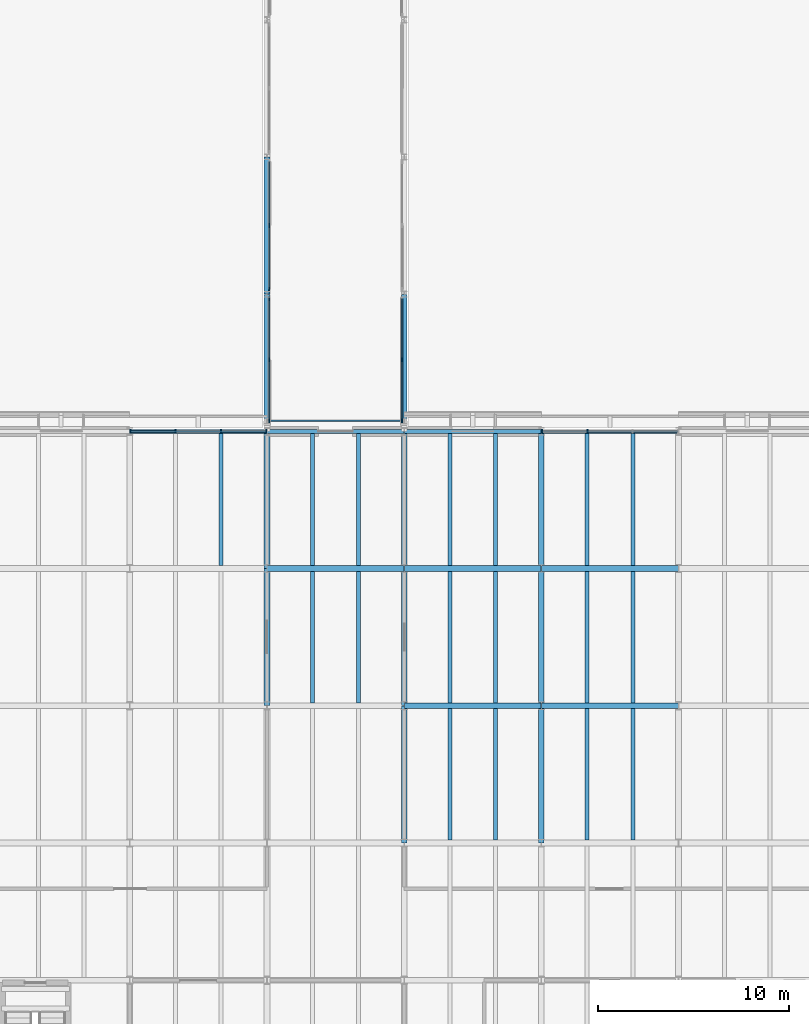
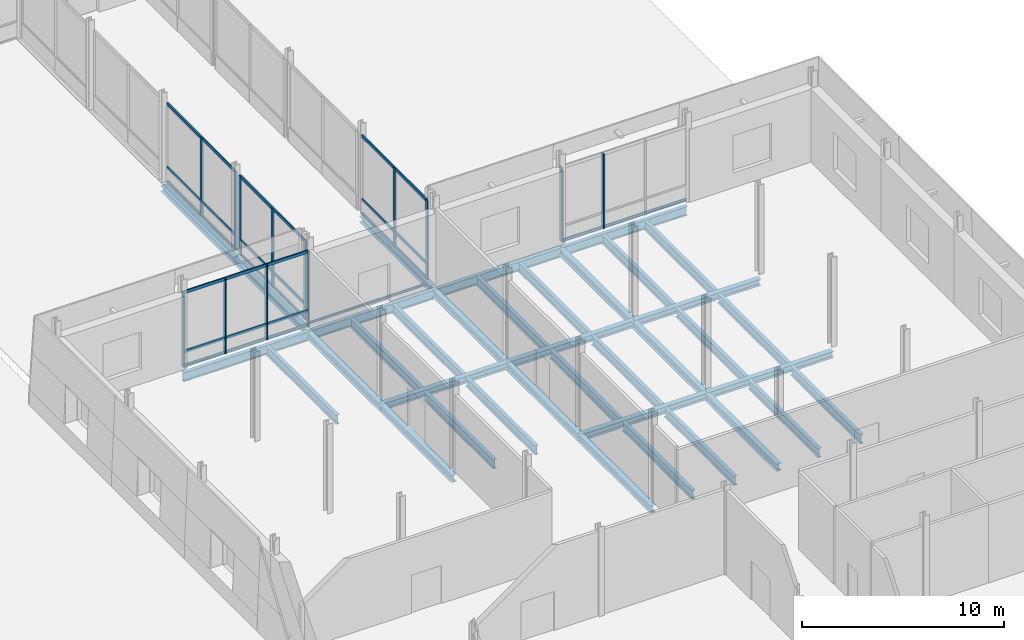
# One storey, part 40 of 120: 38 beams, 26 members, 5 elements without a shape of their own.
"""IFC4 building model written with IfcOpenShell, lengths in metres."""

from ifc_helpers import new_model, si_unit, direction, frame, origin, origin_2d, place, context, subcontext, project, spatial, rectangle, i_section, extrude, material, layer, layer_set, material_profile, profile_set, type_object, element, aggregate, save


model = new_model("IFC4")

# Units and contexts
model_context = context("Model", 3, precision=1e-05, world=origin(), true_north=direction((0.0, 1.0)))
body_context = subcontext(model_context, "Body", "Model", "MODEL_VIEW")
ifc_project = project(units=[si_unit("LENGTHUNIT", "METRE"), si_unit("AREAUNIT", "SQUARE_METRE"), si_unit("VOLUMEUNIT", "CUBIC_METRE"), si_unit("PLANEANGLEUNIT", "RADIAN"), si_unit("MASSUNIT", "GRAM", prefix="KILO")], contexts=[model_context])

# Site, building, storey
site_placement = place(None, origin())
site = spatial("IfcSite", under=ifc_project, at=site_placement, CompositionType="ELEMENT")
building_placement = place(site_placement, origin())
building = spatial("IfcBuilding", under=site, at=building_placement, Name="Narikvali Park Central Library", CompositionType="ELEMENT")
storey_placement = place(building_placement, origin())
storey = spatial("IfcBuildingStorey", under=building, at=storey_placement, Name="L00", CompositionType="ELEMENT", Elevation=0.0)

# Beams
ifc_material_1 = material(Name="Steel S355", Category="steel")
ifc_material_profile_1 = material_profile(ifc_material_1, i_section(OverallWidth=0.2099609375, OverallDepth=0.550048828125, WebThickness=0.010986328125, FlangeThickness=0.01708984375, FilletRadius=0.02392578125, at=origin_2d()), Name="IPE 550")
ifc_profile_set_1 = profile_set([ifc_material_profile_1], Name="Steel S355")
beam_type_1 = type_object("IfcBeamType", Name="Assembly Floor Joist IPE550", PredefinedType="JOIST", material=ifc_profile_set_1)
beam_1_placement = place(storey_placement, frame((134.39990234375, 43.35009765625, -0.594970703125), z_axis=(0.0, 1.0, 0.0), x_axis=(-1.0, 0.0, 0.0)))
element("IfcBeam", 1, at=beam_1_placement, inside=storey, type_object=beam_type_1, Name="V6 L00 Composite Joist 2", PredefinedType="JOIST", context=body_context, shape_type="SweptSolid", body=[
    extrude(i_section(OverallWidth=0.2099609375, OverallDepth=0.550048828125, WebThickness=0.010986328125, FlangeThickness=0.01708984375, FilletRadius=0.02392578125, at=origin_2d()), origin(), (0.0, 0.0, 1.0), 6.94482421875),
])
for number, where, z_axis, x_axis, name in (
    (2, (139.199951171875, 36.14990234375, -0.594970703125), (0.0, 1.0, 0.0), (-1.0, 0.0, 0.0), "V6 L00 Composite Joist 1"),
    (3, (141.60009765625, 36.14990234375, -0.594970703125), (0.0, 1.0, 0.0), (-1.0, 0.0, 0.0), "V6 L00 Composite Joist 2"),
):
    element("IfcBeam", number, at=place(storey_placement, frame(where, z_axis=z_axis, x_axis=x_axis)), inside=storey, type_object=beam_type_1, Name=name, PredefinedType="JOIST", context=body_context, shape_type="SweptSolid", body=[
        extrude(i_section(OverallWidth=0.2099609375, OverallDepth=0.550048828125, WebThickness=0.010986328125, FlangeThickness=0.01708984375, FilletRadius=0.02392578125, at=origin_2d()), origin(), (0.0, 0.0, 1.0), 6.900146484375),
    ])
for number, where, z_axis, x_axis, name in (
    (4, (139.199951171875, 43.35009765625, -0.594970703125), (0.0, 1.0, 0.0), (-1.0, 0.0, 0.0), "V6 L00 Composite Joist 1"),
    (5, (141.60009765625, 43.35009765625, -0.594970703125), (0.0, 1.0, 0.0), (-1.0, 0.0, 0.0), "V6 L00 Composite Joist 2"),
):
    element("IfcBeam", number, at=place(storey_placement, frame(where, z_axis=z_axis, x_axis=x_axis)), inside=storey, type_object=beam_type_1, Name=name, PredefinedType="JOIST", context=body_context, shape_type="SweptSolid", body=[
        extrude(i_section(OverallWidth=0.2099609375, OverallDepth=0.550048828125, WebThickness=0.010986328125, FlangeThickness=0.01708984375, FilletRadius=0.02392578125, at=origin_2d()), origin(), (0.0, 0.0, 1.0), 6.94482421875),
    ])
for number, where, z_axis, x_axis, name in (
    (6, (146.39990234375, 28.949951171875, -0.594970703125), (0.0, 1.0, 0.0), (-1.0, 0.0, 0.0), "V6 L00 Composite Joist 1"),
    (7, (148.800048828125, 28.949951171875, -0.594970703125), (0.0, 1.0, 0.0), (-1.0, 0.0, 0.0), "V6 L00 Composite Joist 2"),
    (8, (146.39990234375, 36.14990234375, -0.594970703125), (0.0, 1.0, 0.0), (-1.0, 0.0, 0.0), "V6 L00 Composite Joist 1"),
    (9, (148.800048828125, 36.14990234375, -0.594970703125), (0.0, 1.0, 0.0), (-1.0, 0.0, 0.0), "V6 L00 Composite Joist 2"),
):
    element("IfcBeam", number, at=place(storey_placement, frame(where, z_axis=z_axis, x_axis=x_axis)), inside=storey, type_object=beam_type_1, Name=name, PredefinedType="JOIST", context=body_context, shape_type="SweptSolid", body=[
        extrude(i_section(OverallWidth=0.2099609375, OverallDepth=0.550048828125, WebThickness=0.010986328125, FlangeThickness=0.01708984375, FilletRadius=0.02392578125, at=origin_2d()), origin(), (0.0, 0.0, 1.0), 6.900146484375),
    ])
for number, where, z_axis, x_axis, name in (
    (10, (146.39990234375, 43.35009765625, -0.594970703125), (0.0, 1.0, 0.0), (-1.0, 0.0, 0.0), "V6 L00 Composite Joist 1"),
    (11, (148.800048828125, 43.35009765625, -0.594970703125), (0.0, 1.0, 0.0), (-1.0, 0.0, 0.0), "V6 L00 Composite Joist 2"),
):
    element("IfcBeam", number, at=place(storey_placement, frame(where, z_axis=z_axis, x_axis=x_axis)), inside=storey, type_object=beam_type_1, Name=name, PredefinedType="JOIST", context=body_context, shape_type="SweptSolid", body=[
        extrude(i_section(OverallWidth=0.2099609375, OverallDepth=0.550048828125, WebThickness=0.010986328125, FlangeThickness=0.01708984375, FilletRadius=0.02392578125, at=origin_2d()), origin(), (0.0, 0.0, 1.0), 6.94482421875),
    ])
for number, where, z_axis, x_axis, name in (
    (12, (153.60009765625, 28.949951171875, -0.594970703125), (0.0, 1.0, 0.0), (-1.0, 0.0, 0.0), "V6 L00 Composite Joist 1"),
    (13, (156.0, 28.949951171875, -0.594970703125), (0.0, 1.0, 0.0), (-1.0, 0.0, 0.0), "V6 L00 Composite Joist 2"),
    (14, (153.60009765625, 36.14990234375, -0.594970703125), (0.0, 1.0, 0.0), (-1.0, 0.0, 0.0), "V6 L00 Composite Joist 1"),
    (15, (156.0, 36.14990234375, -0.594970703125), (0.0, 1.0, 0.0), (-1.0, 0.0, 0.0), "V6 L00 Composite Joist 2"),
):
    element("IfcBeam", number, at=place(storey_placement, frame(where, z_axis=z_axis, x_axis=x_axis)), inside=storey, type_object=beam_type_1, Name=name, PredefinedType="JOIST", context=body_context, shape_type="SweptSolid", body=[
        extrude(i_section(OverallWidth=0.2099609375, OverallDepth=0.550048828125, WebThickness=0.010986328125, FlangeThickness=0.01708984375, FilletRadius=0.02392578125, at=origin_2d()), origin(), (0.0, 0.0, 1.0), 6.900146484375),
    ])
for number, where, z_axis, x_axis, name in (
    (16, (153.60009765625, 43.35009765625, -0.594970703125), (0.0, 1.0, 0.0), (-1.0, 0.0, 0.0), "V6 L00 Composite Joist 1"),
    (17, (156.0, 43.35009765625, -0.594970703125), (0.0, 1.0, 0.0), (-1.0, 0.0, 0.0), "V6 L00 Composite Joist 2"),
):
    element("IfcBeam", number, at=place(storey_placement, frame(where, z_axis=z_axis, x_axis=x_axis)), inside=storey, type_object=beam_type_1, Name=name, PredefinedType="JOIST", context=body_context, shape_type="SweptSolid", body=[
        extrude(i_section(OverallWidth=0.2099609375, OverallDepth=0.550048828125, WebThickness=0.010986328125, FlangeThickness=0.01708984375, FilletRadius=0.02392578125, at=origin_2d()), origin(), (0.0, 0.0, 1.0), 6.94482421875),
    ])
ifc_material_profile_2 = material_profile(ifc_material_1, i_section(OverallWidth=0.300048828125, OverallDepth=0.360107421875, WebThickness=0.012451171875, FlangeThickness=0.0224609375, FilletRadius=0.027099609375, at=origin_2d()), Name="HEB 360")
ifc_profile_set_2 = profile_set([ifc_material_profile_2], Name="Steel S355")
beam_type_2 = type_object("IfcBeamType", Name="Cloister Bridge Girder HEB360", PredefinedType="BEAM", material=ifc_profile_set_2)
beam_2_placement = place(storey_placement, frame((136.800048828125, 50.6201171875, -0.429931640625), z_axis=(0.0, 1.0, 0.0), x_axis=(-1.0, 0.0, 0.0)))
element("IfcBeam", 18, at=beam_2_placement, inside=storey, type_object=beam_type_2, Name="BRG-4 L00 Sliding Bridge Girder 1-1", PredefinedType="BEAM", context=body_context, shape_type="SweptSolid", body=[
    extrude(i_section(OverallWidth=0.300048828125, OverallDepth=0.360107421875, WebThickness=0.012451171875, FlangeThickness=0.0224609375, FilletRadius=0.027099609375, at=origin_2d()), origin(), (0.0, 0.0, 1.0), 6.969970703125),
])
beam_3_placement = place(storey_placement, frame((136.800048828125, 57.610107421875, -0.429931640625), z_axis=(0.0, 1.0, 0.0), x_axis=(-1.0, 0.0, 0.0)))
element("IfcBeam", 19, at=beam_3_placement, inside=storey, type_object=beam_type_2, Name="BRG-4 L00 Sliding Bridge Girder 1-2", PredefinedType="BEAM", context=body_context, shape_type="SweptSolid", body=[
    extrude(i_section(OverallWidth=0.300048828125, OverallDepth=0.360107421875, WebThickness=0.012451171875, FlangeThickness=0.0224609375, FilletRadius=0.027099609375, at=origin_2d()), origin(), (0.0, 0.0, 1.0), 7.179931640625),
])
beam_4_placement = place(storey_placement, frame((144.0, 50.6201171875, -0.429931640625), z_axis=(0.0, 1.0, 0.0), x_axis=(-1.0, 0.0, 0.0)))
element("IfcBeam", 20, at=beam_4_placement, inside=storey, type_object=beam_type_2, Name="BRG-4 L00 Sliding Bridge Girder 2-1", PredefinedType="BEAM", context=body_context, shape_type="SweptSolid", body=[
    extrude(i_section(OverallWidth=0.300048828125, OverallDepth=0.360107421875, WebThickness=0.012451171875, FlangeThickness=0.0224609375, FilletRadius=0.027099609375, at=origin_2d()), origin(), (0.0, 0.0, 1.0), 6.969970703125),
])

# Curtain wall, members
ifc_material_2 = material(Name="Anodised Bronze Aluminium", Category="aluminium")
ifc_layer_1 = layer(ifc_material_2, 0.219970703125, Name="Anodised Bronze Aluminium")
ifc_layer_set_1 = layer_set([ifc_layer_1], Name="Anodised Bronze Aluminium")
curtain_wall_type_1 = type_object("IfcCurtainWallType", Name="Park Cafe Colonnade Glazing System", PredefinedType="NOTDEFINED", material=ifc_layer_set_1)
curtain_wall_1_placement = place(storey_placement, origin())
curtain_wall_1 = element("IfcCurtainWall", 21, at=curtain_wall_1_placement, inside=storey, type_object=curtain_wall_type_1, Name="Park Cafe Colonnade Glazing System CW-V6-L00-N-02", PredefinedType="NOTDEFINED")
ifc_material_profile_3 = material_profile(ifc_material_2, rectangle(XDim=0.074951171875, YDim=0.219970703125, at=origin_2d()), Name="CW MULLION 75x220")
ifc_profile_set_3 = profile_set([ifc_material_profile_3], Name="Anodised Bronze Aluminium")
member_type_1 = type_object("IfcMemberType", Name="Curtain Wall Heavy Mullion 75x220", PredefinedType="MULLION", material=ifc_profile_set_3)
member_1_placement = place(storey_placement, frame((153.61279296875, 50.39990234375, -0.010009765625), z_axis=(0.0, 0.0, 1.0), x_axis=(1.0, 0.0, 0.0)))
member_1 = element("IfcMember", 22, at=member_1_placement, type_object=member_type_1, Name="CW-V6-L00-N-02 Mullion 02", PredefinedType="MULLION", context=body_context, shape_type="SweptSolid", body=[
    extrude(rectangle(XDim=0.074951171875, YDim=0.219970703125, at=origin_2d()), origin(), (0.0, 0.0, 1.0), 4.510009765625),
])
member_2_placement = place(storey_placement, frame((151.238037109375, 50.39990234375, -0.010009765625), z_axis=(0.0, 0.0, 1.0), x_axis=(1.0, 0.0, 0.0)))
member_2 = element("IfcMember", 23, at=member_2_placement, type_object=member_type_1, Name="CW-V6-L00-N-02 Mullion 03", PredefinedType="MULLION", context=body_context, shape_type="SweptSolid", body=[
    extrude(rectangle(XDim=0.074951171875, YDim=0.219970703125, at=origin_2d()), origin(), (0.0, 0.0, 1.0), 4.510009765625),
])

curtain_wall_2_placement = place(storey_placement, origin())
curtain_wall_2 = element("IfcCurtainWall", 24, at=curtain_wall_2_placement, inside=storey, type_object=curtain_wall_type_1, Name="Park Cafe Colonnade Glazing System CW-V6-L00-N-05", PredefinedType="NOTDEFINED")
member_3_placement = place(storey_placement, frame((136.761962890625, 50.39990234375, -0.010009765625), z_axis=(0.0, 0.0, 1.0), x_axis=(1.0, 0.0, 0.0)))
member_3 = element("IfcMember", 25, at=member_3_placement, type_object=member_type_1, Name="CW-V6-L00-N-05 Mullion 00", PredefinedType="MULLION", context=body_context, shape_type="SweptSolid", body=[
    extrude(rectangle(XDim=0.074951171875, YDim=0.219970703125, at=origin_2d()), origin(), (0.0, 0.0, 1.0), 4.510009765625),
])
member_4_placement = place(storey_placement, frame((134.38720703125, 50.39990234375, -0.010009765625), z_axis=(0.0, 0.0, 1.0), x_axis=(1.0, 0.0, 0.0)))
member_4 = element("IfcMember", 26, at=member_4_placement, type_object=member_type_1, Name="CW-V6-L00-N-05 Mullion 01", PredefinedType="MULLION", context=body_context, shape_type="SweptSolid", body=[
    extrude(rectangle(XDim=0.074951171875, YDim=0.219970703125, at=origin_2d()), origin(), (0.0, 0.0, 1.0), 4.510009765625),
])
member_5_placement = place(storey_placement, frame((132.0126953125, 50.39990234375, -0.010009765625), z_axis=(0.0, 0.0, 1.0), x_axis=(1.0, 0.0, 0.0)))
member_5 = element("IfcMember", 27, at=member_5_placement, type_object=member_type_1, Name="CW-V6-L00-N-05 Mullion 02", PredefinedType="MULLION", context=body_context, shape_type="SweptSolid", body=[
    extrude(rectangle(XDim=0.074951171875, YDim=0.219970703125, at=origin_2d()), origin(), (0.0, 0.0, 1.0), 4.510009765625),
])
member_6_placement = place(storey_placement, frame((129.637939453125, 50.39990234375, -0.010009765625), z_axis=(0.0, 0.0, 1.0), x_axis=(1.0, 0.0, 0.0)))
member_6 = element("IfcMember", 28, at=member_6_placement, type_object=member_type_1, Name="CW-V6-L00-N-05 Mullion 03", PredefinedType="MULLION", context=body_context, shape_type="SweptSolid", body=[
    extrude(rectangle(XDim=0.074951171875, YDim=0.219970703125, at=origin_2d()), origin(), (0.0, 0.0, 1.0), 4.510009765625),
])

ifc_layer_2 = layer(ifc_material_2, 0.219970703125, Name="Anodised Bronze Aluminium")
ifc_layer_set_2 = layer_set([ifc_layer_2], Name="Anodised Bronze Aluminium")
curtain_wall_type_2 = type_object("IfcCurtainWallType", Name="Bridge Covered Passage Glazing System", PredefinedType="NOTDEFINED", material=ifc_layer_set_2)
curtain_wall_3_placement = place(storey_placement, origin())
curtain_wall_3 = element("IfcCurtainWall", 29, at=curtain_wall_3_placement, inside=storey, type_object=curtain_wall_type_2, Name="Bridge Covered Passage Glazing System CW-BRG-4-L00-W1", PredefinedType="NOTDEFINED")
member_7_placement = place(storey_placement, frame((136.919921875, 50.949951171875, -0.010009765625), z_axis=(0.0, 0.0, 1.0), x_axis=(1.0, 0.0, 0.0)))
member_7 = element("IfcMember", 30, at=member_7_placement, type_object=member_type_1, Name="CW-BRG-4-L00-W1 Mullion 00", PredefinedType="MULLION", context=body_context, shape_type="SweptSolid", body=[
    extrude(rectangle(XDim=0.074951171875, YDim=0.219970703125, at=origin_2d()), origin(), (0.0, 0.0, 1.0), 4.760009765625),
])
member_8_placement = place(storey_placement, frame((136.919921875, 54.155029296875, -0.010009765625), z_axis=(0.0, 0.0, 1.0), x_axis=(1.0, 0.0, 0.0)))
member_8 = element("IfcMember", 31, at=member_8_placement, type_object=member_type_1, Name="CW-BRG-4-L00-W1 Mullion 01", PredefinedType="MULLION", context=body_context, shape_type="SweptSolid", body=[
    extrude(rectangle(XDim=0.074951171875, YDim=0.219970703125, at=origin_2d()), origin(), (0.0, 0.0, 1.0), 4.760009765625),
])
member_9_placement = place(storey_placement, frame((136.919921875, 57.360107421875, -0.010009765625), z_axis=(0.0, 0.0, 1.0), x_axis=(1.0, 0.0, 0.0)))
member_9 = element("IfcMember", 32, at=member_9_placement, type_object=member_type_1, Name="CW-BRG-4-L00-W1 Mullion 02", PredefinedType="MULLION", context=body_context, shape_type="SweptSolid", body=[
    extrude(rectangle(XDim=0.074951171875, YDim=0.219970703125, at=origin_2d()), origin(), (0.0, 0.0, 1.0), 4.760009765625),
])

curtain_wall_4_placement = place(storey_placement, origin())
curtain_wall_4 = element("IfcCurtainWall", 33, at=curtain_wall_4_placement, inside=storey, type_object=curtain_wall_type_2, Name="Bridge Covered Passage Glazing System CW-BRG-4-L00-E1", PredefinedType="NOTDEFINED")
member_10_placement = place(storey_placement, frame((143.8798828125, 50.949951171875, -0.010009765625), z_axis=(0.0, 0.0, 1.0), x_axis=(1.0, 0.0, 0.0)))
member_10 = element("IfcMember", 34, at=member_10_placement, type_object=member_type_1, Name="CW-BRG-4-L00-E1 Mullion 00", PredefinedType="MULLION", context=body_context, shape_type="SweptSolid", body=[
    extrude(rectangle(XDim=0.074951171875, YDim=0.219970703125, at=origin_2d()), origin(), (0.0, 0.0, 1.0), 4.760009765625),
])
member_11_placement = place(storey_placement, frame((143.8798828125, 54.155029296875, -0.010009765625), z_axis=(0.0, 0.0, 1.0), x_axis=(1.0, 0.0, 0.0)))
member_11 = element("IfcMember", 35, at=member_11_placement, type_object=member_type_1, Name="CW-BRG-4-L00-E1 Mullion 01", PredefinedType="MULLION", context=body_context, shape_type="SweptSolid", body=[
    extrude(rectangle(XDim=0.074951171875, YDim=0.219970703125, at=origin_2d()), origin(), (0.0, 0.0, 1.0), 4.760009765625),
])

curtain_wall_5_placement = place(storey_placement, origin())
curtain_wall_5 = element("IfcCurtainWall", 36, at=curtain_wall_5_placement, inside=storey, type_object=curtain_wall_type_2, Name="Bridge Covered Passage Glazing System CW-BRG-4-L00-W2", PredefinedType="NOTDEFINED")
member_12_placement = place(storey_placement, frame((136.919921875, 57.840087890625, -0.010009765625), z_axis=(0.0, 0.0, 1.0), x_axis=(1.0, 0.0, 0.0)))
member_12 = element("IfcMember", 37, at=member_12_placement, type_object=member_type_1, Name="CW-BRG-4-L00-W2 Mullion 00", PredefinedType="MULLION", context=body_context, shape_type="SweptSolid", body=[
    extrude(rectangle(XDim=0.074951171875, YDim=0.219970703125, at=origin_2d()), origin(), (0.0, 0.0, 1.0), 4.760009765625),
])
member_13_placement = place(storey_placement, frame((136.919921875, 61.199951171875, -0.010009765625), z_axis=(0.0, 0.0, 1.0), x_axis=(1.0, 0.0, 0.0)))
member_13 = element("IfcMember", 38, at=member_13_placement, type_object=member_type_1, Name="CW-BRG-4-L00-W2 Mullion 01", PredefinedType="MULLION", context=body_context, shape_type="SweptSolid", body=[
    extrude(rectangle(XDim=0.074951171875, YDim=0.219970703125, at=origin_2d()), origin(), (0.0, 0.0, 1.0), 4.760009765625),
])

# Member
ifc_material_profile_4 = material_profile(ifc_material_2, rectangle(XDim=0.074951171875, YDim=0.179931640625, at=origin_2d()), Name="CW TRANSOM 75x180")
ifc_profile_set_4 = profile_set([ifc_material_profile_4], Name="Anodised Bronze Aluminium")
member_type_2 = type_object("IfcMemberType", Name="Curtain Wall Heavy Transom 75x180", PredefinedType="USERDEFINED", material=ifc_profile_set_4)
member_14_placement = place(storey_placement, frame((158.362060546875, 50.39990234375, 0.030029296875), z_axis=(-1.0, 0.0, 0.0), x_axis=(0.0, -1.0, 0.0)))
member_14 = element("IfcMember", 39, at=member_14_placement, type_object=member_type_2, Name="CW-V6-L00-N-02 Transom 00", ObjectType="TRANSOM", PredefinedType="USERDEFINED", context=body_context, shape_type="SweptSolid", body=[
    extrude(rectangle(XDim=0.074951171875, YDim=0.179931640625, at=origin_2d()), origin(), (0.0, 0.0, 1.0), 7.1240234375),
])

aggregate(curtain_wall_1, [member_1, member_2, member_14])

member_15_placement = place(storey_placement, frame((136.761962890625, 50.39990234375, 0.030029296875), z_axis=(-1.0, 0.0, 0.0), x_axis=(0.0, -1.0, 0.0)))
member_15 = element("IfcMember", 40, at=member_15_placement, type_object=member_type_2, Name="CW-V6-L00-N-05 Transom 00", ObjectType="TRANSOM", PredefinedType="USERDEFINED", context=body_context, shape_type="SweptSolid", body=[
    extrude(rectangle(XDim=0.074951171875, YDim=0.179931640625, at=origin_2d()), origin(), (0.0, 0.0, 1.0), 7.1240234375),
])

member_16_placement = place(storey_placement, frame((136.761962890625, 50.39990234375, 0.89990234375), z_axis=(-1.0, 0.0, 0.0), x_axis=(0.0, -1.0, 0.0)))
member_16 = element("IfcMember", 41, at=member_16_placement, type_object=member_type_2, Name="CW-V6-L00-N-05 Transom 01", ObjectType="TRANSOM", PredefinedType="USERDEFINED", context=body_context, shape_type="SweptSolid", body=[
    extrude(rectangle(XDim=0.074951171875, YDim=0.179931640625, at=origin_2d()), origin(), (0.0, 0.0, 1.0), 7.1240234375),
])

member_17_placement = place(storey_placement, frame((136.761962890625, 50.39990234375, 4.469970703125), z_axis=(-1.0, 0.0, 0.0), x_axis=(0.0, -1.0, 0.0)))
member_17 = element("IfcMember", 42, at=member_17_placement, type_object=member_type_2, Name="CW-V6-L00-N-05 Transom 02", ObjectType="TRANSOM", PredefinedType="USERDEFINED", context=body_context, shape_type="SweptSolid", body=[
    extrude(rectangle(XDim=0.074951171875, YDim=0.179931640625, at=origin_2d()), origin(), (0.0, 0.0, 1.0), 7.1240234375),
])

aggregate(curtain_wall_2, [member_3, member_4, member_5, member_6, member_15, member_16, member_17])

member_18_placement = place(storey_placement, frame((136.919921875, 50.949951171875, 0.030029296875), z_axis=(0.0, 1.0, 0.0), x_axis=(-1.0, 0.0, 0.0)))
member_18 = element("IfcMember", 43, at=member_18_placement, type_object=member_type_2, Name="CW-BRG-4-L00-W1 Transom 00", ObjectType="TRANSOM", PredefinedType="USERDEFINED", context=body_context, shape_type="SweptSolid", body=[
    extrude(rectangle(XDim=0.074951171875, YDim=0.179931640625, at=origin_2d()), origin(), (0.0, 0.0, 1.0), 6.41015625),
])

member_19_placement = place(storey_placement, frame((136.919921875, 50.949951171875, 0.89990234375), z_axis=(0.0, 1.0, 0.0), x_axis=(-1.0, 0.0, 0.0)))
member_19 = element("IfcMember", 44, at=member_19_placement, type_object=member_type_2, Name="CW-BRG-4-L00-W1 Transom 01", ObjectType="TRANSOM", PredefinedType="USERDEFINED", context=body_context, shape_type="SweptSolid", body=[
    extrude(rectangle(XDim=0.074951171875, YDim=0.179931640625, at=origin_2d()), origin(), (0.0, 0.0, 1.0), 6.41015625),
])

member_20_placement = place(storey_placement, frame((136.919921875, 50.949951171875, 4.719970703125), z_axis=(0.0, 1.0, 0.0), x_axis=(-1.0, 0.0, 0.0)))
member_20 = element("IfcMember", 45, at=member_20_placement, type_object=member_type_2, Name="CW-BRG-4-L00-W1 Transom 02", ObjectType="TRANSOM", PredefinedType="USERDEFINED", context=body_context, shape_type="SweptSolid", body=[
    extrude(rectangle(XDim=0.074951171875, YDim=0.179931640625, at=origin_2d()), origin(), (0.0, 0.0, 1.0), 6.41015625),
])

aggregate(curtain_wall_3, [member_7, member_8, member_9, member_18, member_19, member_20])

member_21_placement = place(storey_placement, frame((143.8798828125, 50.949951171875, 0.030029296875), z_axis=(0.0, 1.0, 0.0), x_axis=(-1.0, 0.0, 0.0)))
member_21 = element("IfcMember", 46, at=member_21_placement, type_object=member_type_2, Name="CW-BRG-4-L00-E1 Transom 00", ObjectType="TRANSOM", PredefinedType="USERDEFINED", context=body_context, shape_type="SweptSolid", body=[
    extrude(rectangle(XDim=0.074951171875, YDim=0.179931640625, at=origin_2d()), origin(), (0.0, 0.0, 1.0), 6.41015625),
])

member_22_placement = place(storey_placement, frame((143.8798828125, 50.949951171875, 0.89990234375), z_axis=(0.0, 1.0, 0.0), x_axis=(-1.0, 0.0, 0.0)))
member_22 = element("IfcMember", 47, at=member_22_placement, type_object=member_type_2, Name="CW-BRG-4-L00-E1 Transom 01", ObjectType="TRANSOM", PredefinedType="USERDEFINED", context=body_context, shape_type="SweptSolid", body=[
    extrude(rectangle(XDim=0.074951171875, YDim=0.179931640625, at=origin_2d()), origin(), (0.0, 0.0, 1.0), 6.41015625),
])

member_23_placement = place(storey_placement, frame((143.8798828125, 50.949951171875, 4.719970703125), z_axis=(0.0, 1.0, 0.0), x_axis=(-1.0, 0.0, 0.0)))
member_23 = element("IfcMember", 48, at=member_23_placement, type_object=member_type_2, Name="CW-BRG-4-L00-E1 Transom 02", ObjectType="TRANSOM", PredefinedType="USERDEFINED", context=body_context, shape_type="SweptSolid", body=[
    extrude(rectangle(XDim=0.074951171875, YDim=0.179931640625, at=origin_2d()), origin(), (0.0, 0.0, 1.0), 6.41015625),
])

aggregate(curtain_wall_4, [member_10, member_11, member_21, member_22, member_23])

member_24_placement = place(storey_placement, frame((136.919921875, 57.840087890625, 0.030029296875), z_axis=(0.0, 1.0, 0.0), x_axis=(-1.0, 0.0, 0.0)))
member_24 = element("IfcMember", 49, at=member_24_placement, type_object=member_type_2, Name="CW-BRG-4-L00-W2 Transom 00", ObjectType="TRANSOM", PredefinedType="USERDEFINED", context=body_context, shape_type="SweptSolid", body=[
    extrude(rectangle(XDim=0.074951171875, YDim=0.179931640625, at=origin_2d()), origin(), (0.0, 0.0, 1.0), 6.719970703125),
])

member_25_placement = place(storey_placement, frame((136.919921875, 57.840087890625, 0.89990234375), z_axis=(0.0, 1.0, 0.0), x_axis=(-1.0, 0.0, 0.0)))
member_25 = element("IfcMember", 50, at=member_25_placement, type_object=member_type_2, Name="CW-BRG-4-L00-W2 Transom 01", ObjectType="TRANSOM", PredefinedType="USERDEFINED", context=body_context, shape_type="SweptSolid", body=[
    extrude(rectangle(XDim=0.074951171875, YDim=0.179931640625, at=origin_2d()), origin(), (0.0, 0.0, 1.0), 6.719970703125),
])

member_26_placement = place(storey_placement, frame((136.919921875, 57.840087890625, 4.719970703125), z_axis=(0.0, 1.0, 0.0), x_axis=(-1.0, 0.0, 0.0)))
member_26 = element("IfcMember", 51, at=member_26_placement, type_object=member_type_2, Name="CW-BRG-4-L00-W2 Transom 02", ObjectType="TRANSOM", PredefinedType="USERDEFINED", context=body_context, shape_type="SweptSolid", body=[
    extrude(rectangle(XDim=0.074951171875, YDim=0.179931640625, at=origin_2d()), origin(), (0.0, 0.0, 1.0), 6.719970703125),
])

aggregate(curtain_wall_5, [member_12, member_13, member_24, member_25, member_26])

# Beams
ifc_material_profile_5 = material_profile(ifc_material_1, i_section(OverallWidth=0.300048828125, OverallDepth=0.39990234375, WebThickness=0.013427734375, FlangeThickness=0.02392578125, FilletRadius=0.027099609375, at=origin_2d()), Name="HEB 400")
ifc_profile_set_5 = profile_set([ifc_material_profile_5], Name="Steel S355")
beam_type_3 = type_object("IfcBeamType", Name="Gallery Framing Girder HEB400", PredefinedType="BEAM", material=ifc_profile_set_5)
beam_5_placement = place(storey_placement, frame((144.008056640625, 36.0, -0.52001953125), z_axis=(1.0, 0.0, 0.0), x_axis=(0.0, 1.0, 0.0)))
element("IfcBeam", 52, at=beam_5_placement, inside=storey, type_object=beam_type_3, Name="V6 L00 Girder X", PredefinedType="BEAM", context=body_context, shape_type="SweptSolid", body=[
    extrude(i_section(OverallWidth=0.300048828125, OverallDepth=0.39990234375, WebThickness=0.013427734375, FlangeThickness=0.02392578125, FilletRadius=0.027099609375, at=origin_2d()), origin(), (0.0, 0.0, 1.0), 7.183837890625),
])
beam_6_placement = place(storey_placement, frame((151.2080078125, 36.0, -0.52001953125), z_axis=(1.0, 0.0, 0.0), x_axis=(0.0, 1.0, 0.0)))
element("IfcBeam", 53, at=beam_6_placement, inside=storey, type_object=beam_type_3, Name="V6 L00 Girder X", PredefinedType="BEAM", context=body_context, shape_type="SweptSolid", body=[
    extrude(i_section(OverallWidth=0.300048828125, OverallDepth=0.39990234375, WebThickness=0.013427734375, FlangeThickness=0.02392578125, FilletRadius=0.027099609375, at=origin_2d()), origin(), (0.0, 0.0, 1.0), 7.18408203125),
])
for number, where, z_axis, x_axis, name in (
    (54, (136.80810546875, 43.199951171875, -0.52001953125), (1.0, 0.0, 0.0), (0.0, 1.0, 0.0), "V6 L00 Girder X"),
    (55, (144.008056640625, 43.199951171875, -0.52001953125), (1.0, 0.0, 0.0), (0.0, 1.0, 0.0), "V6 L00 Girder X"),
):
    element("IfcBeam", number, at=place(storey_placement, frame(where, z_axis=z_axis, x_axis=x_axis)), inside=storey, type_object=beam_type_3, Name=name, PredefinedType="BEAM", context=body_context, shape_type="SweptSolid", body=[
        extrude(i_section(OverallWidth=0.300048828125, OverallDepth=0.39990234375, WebThickness=0.013427734375, FlangeThickness=0.02392578125, FilletRadius=0.027099609375, at=origin_2d()), origin(), (0.0, 0.0, 1.0), 7.183837890625),
    ])
beam_7_placement = place(storey_placement, frame((151.2080078125, 43.199951171875, -0.52001953125), z_axis=(1.0, 0.0, 0.0), x_axis=(0.0, 1.0, 0.0)))
element("IfcBeam", 56, at=beam_7_placement, inside=storey, type_object=beam_type_3, Name="V6 L00 Girder X", PredefinedType="BEAM", context=body_context, shape_type="SweptSolid", body=[
    extrude(i_section(OverallWidth=0.300048828125, OverallDepth=0.39990234375, WebThickness=0.013427734375, FlangeThickness=0.02392578125, FilletRadius=0.027099609375, at=origin_2d()), origin(), (0.0, 0.0, 1.0), 7.18408203125),
])
ifc_material_profile_6 = material_profile(ifc_material_1, i_section(OverallWidth=0.2099609375, OverallDepth=0.550048828125, WebThickness=0.010986328125, FlangeThickness=0.01708984375, FilletRadius=0.02392578125, at=origin_2d()), Name="IPE 550")
ifc_profile_set_6 = profile_set([ifc_material_profile_6], Name="Steel S355")
beam_type_4 = type_object("IfcBeamType", Name="Perimeter Spandrel IPE550", PredefinedType="SPANDREL", material=ifc_profile_set_6)
beam_8_placement = place(storey_placement, frame((129.60791015625, 50.39990234375, -0.594970703125), z_axis=(1.0, 0.0, 0.0), x_axis=(0.0, 1.0, 0.0)))
element("IfcBeam", 57, at=beam_8_placement, inside=storey, type_object=beam_type_4, Name="V6 L00 Girder X", PredefinedType="SPANDREL", context=body_context, shape_type="SweptSolid", body=[
    extrude(i_section(OverallWidth=0.2099609375, OverallDepth=0.550048828125, WebThickness=0.010986328125, FlangeThickness=0.01708984375, FilletRadius=0.02392578125, at=origin_2d()), origin(), (0.0, 0.0, 1.0), 7.18408203125),
])
for number, where, z_axis, x_axis, name in (
    (58, (136.80810546875, 50.39990234375, -0.594970703125), (1.0, 0.0, 0.0), (0.0, 1.0, 0.0), "V6 L00 Girder X"),
    (59, (144.008056640625, 50.39990234375, -0.594970703125), (1.0, 0.0, 0.0), (0.0, 1.0, 0.0), "V6 L00 Girder X"),
):
    element("IfcBeam", number, at=place(storey_placement, frame(where, z_axis=z_axis, x_axis=x_axis)), inside=storey, type_object=beam_type_4, Name=name, PredefinedType="SPANDREL", context=body_context, shape_type="SweptSolid", body=[
        extrude(i_section(OverallWidth=0.2099609375, OverallDepth=0.550048828125, WebThickness=0.010986328125, FlangeThickness=0.01708984375, FilletRadius=0.02392578125, at=origin_2d()), origin(), (0.0, 0.0, 1.0), 7.183837890625),
    ])
beam_9_placement = place(storey_placement, frame((151.2080078125, 50.39990234375, -0.594970703125), z_axis=(1.0, 0.0, 0.0), x_axis=(0.0, 1.0, 0.0)))
element("IfcBeam", 60, at=beam_9_placement, inside=storey, type_object=beam_type_4, Name="V6 L00 Girder X", PredefinedType="SPANDREL", context=body_context, shape_type="SweptSolid", body=[
    extrude(i_section(OverallWidth=0.2099609375, OverallDepth=0.550048828125, WebThickness=0.010986328125, FlangeThickness=0.01708984375, FilletRadius=0.02392578125, at=origin_2d()), origin(), (0.0, 0.0, 1.0), 7.18408203125),
])
ifc_material_profile_7 = material_profile(ifc_material_1, i_section(OverallWidth=0.300048828125, OverallDepth=0.43994140625, WebThickness=0.011474609375, FlangeThickness=0.02099609375, FilletRadius=0.027099609375, at=origin_2d()), Name="HEA 450")
ifc_profile_set_7 = profile_set([ifc_material_profile_7], Name="Steel S355")
beam_type_5 = type_object("IfcBeamType", Name="Primary Girder HEA450", PredefinedType="BEAM", material=ifc_profile_set_7)
beam_10_placement = place(storey_placement, frame((136.800048828125, 36.008056640625, -0.5400390625), z_axis=(0.0, 1.0, 0.0), x_axis=(-1.0, 0.0, 0.0)))
element("IfcBeam", 61, at=beam_10_placement, inside=storey, type_object=beam_type_5, Name="V6 L00 Girder Y", PredefinedType="BEAM", context=body_context, shape_type="SweptSolid", body=[
    extrude(i_section(OverallWidth=0.300048828125, OverallDepth=0.43994140625, WebThickness=0.011474609375, FlangeThickness=0.02099609375, FilletRadius=0.027099609375, at=origin_2d()), origin(), (0.0, 0.0, 1.0), 7.183837890625),
])
beam_11_placement = place(storey_placement, frame((136.800048828125, 43.2080078125, -0.5400390625), z_axis=(0.0, 1.0, 0.0), x_axis=(-1.0, 0.0, 0.0)))
element("IfcBeam", 62, at=beam_11_placement, inside=storey, type_object=beam_type_5, Name="V6 L00 Girder Y", PredefinedType="BEAM", context=body_context, shape_type="SweptSolid", body=[
    extrude(i_section(OverallWidth=0.300048828125, OverallDepth=0.43994140625, WebThickness=0.011474609375, FlangeThickness=0.02099609375, FilletRadius=0.027099609375, at=origin_2d()), origin(), (0.0, 0.0, 1.0), 7.18408203125),
])
for number, where, z_axis, x_axis, name in (
    (63, (144.0, 28.80810546875, -0.5400390625), (0.0, 1.0, 0.0), (-1.0, 0.0, 0.0), "V6 L00 Girder Y"),
    (64, (144.0, 36.008056640625, -0.5400390625), (0.0, 1.0, 0.0), (-1.0, 0.0, 0.0), "V6 L00 Girder Y"),
):
    element("IfcBeam", number, at=place(storey_placement, frame(where, z_axis=z_axis, x_axis=x_axis)), inside=storey, type_object=beam_type_5, Name=name, PredefinedType="BEAM", context=body_context, shape_type="SweptSolid", body=[
        extrude(i_section(OverallWidth=0.300048828125, OverallDepth=0.43994140625, WebThickness=0.011474609375, FlangeThickness=0.02099609375, FilletRadius=0.027099609375, at=origin_2d()), origin(), (0.0, 0.0, 1.0), 7.183837890625),
    ])
beam_12_placement = place(storey_placement, frame((144.0, 43.2080078125, -0.5400390625), z_axis=(0.0, 1.0, 0.0), x_axis=(-1.0, 0.0, 0.0)))
element("IfcBeam", 65, at=beam_12_placement, inside=storey, type_object=beam_type_5, Name="V6 L00 Girder Y", PredefinedType="BEAM", context=body_context, shape_type="SweptSolid", body=[
    extrude(i_section(OverallWidth=0.300048828125, OverallDepth=0.43994140625, WebThickness=0.011474609375, FlangeThickness=0.02099609375, FilletRadius=0.027099609375, at=origin_2d()), origin(), (0.0, 0.0, 1.0), 7.18408203125),
])
for number, where, z_axis, x_axis, name in (
    (66, (151.199951171875, 28.80810546875, -0.5400390625), (0.0, 1.0, 0.0), (-1.0, 0.0, 0.0), "V6 L00 Girder Y"),
    (67, (151.199951171875, 36.008056640625, -0.5400390625), (0.0, 1.0, 0.0), (-1.0, 0.0, 0.0), "V6 L00 Girder Y"),
):
    element("IfcBeam", number, at=place(storey_placement, frame(where, z_axis=z_axis, x_axis=x_axis)), inside=storey, type_object=beam_type_5, Name=name, PredefinedType="BEAM", context=body_context, shape_type="SweptSolid", body=[
        extrude(i_section(OverallWidth=0.300048828125, OverallDepth=0.43994140625, WebThickness=0.011474609375, FlangeThickness=0.02099609375, FilletRadius=0.027099609375, at=origin_2d()), origin(), (0.0, 0.0, 1.0), 7.183837890625),
    ])
beam_13_placement = place(storey_placement, frame((151.199951171875, 43.2080078125, -0.5400390625), z_axis=(0.0, 1.0, 0.0), x_axis=(-1.0, 0.0, 0.0)))
element("IfcBeam", 68, at=beam_13_placement, inside=storey, type_object=beam_type_5, Name="V6 L00 Girder Y", PredefinedType="BEAM", context=body_context, shape_type="SweptSolid", body=[
    extrude(i_section(OverallWidth=0.300048828125, OverallDepth=0.43994140625, WebThickness=0.011474609375, FlangeThickness=0.02099609375, FilletRadius=0.027099609375, at=origin_2d()), origin(), (0.0, 0.0, 1.0), 7.18408203125),
])
ifc_material_profile_8 = material_profile(ifc_material_1, i_section(OverallWidth=0.072998046875, OverallDepth=0.139892578125, WebThickness=0.004638671875, FlangeThickness=0.0068359375, FilletRadius=0.007080078125, at=origin_2d()), Name="IPE 140")
ifc_profile_set_8 = profile_set([ifc_material_profile_8], Name="Steel S355")
beam_type_6 = type_object("IfcBeamType", Name="Skylight Curb Trimmer IPE140", PredefinedType="LINTEL", material=ifc_profile_set_8)
beam_14_placement = place(storey_placement, frame((136.9599609375, 50.949951171875, -0.320068359375), z_axis=(1.0, 0.0, 0.0), x_axis=(0.0, 1.0, 0.0)))
element("IfcBeam", 69, at=beam_14_placement, inside=storey, type_object=beam_type_6, Name="BRG-4 L00 Portal Transverse Lintel", PredefinedType="LINTEL", context=body_context, shape_type="SweptSolid", body=[
    extrude(i_section(OverallWidth=0.072998046875, OverallDepth=0.139892578125, WebThickness=0.004638671875, FlangeThickness=0.0068359375, FilletRadius=0.007080078125, at=origin_2d()), origin(), (0.0, 0.0, 1.0), 6.880126953125),
])

save(model, "model.ifc")
